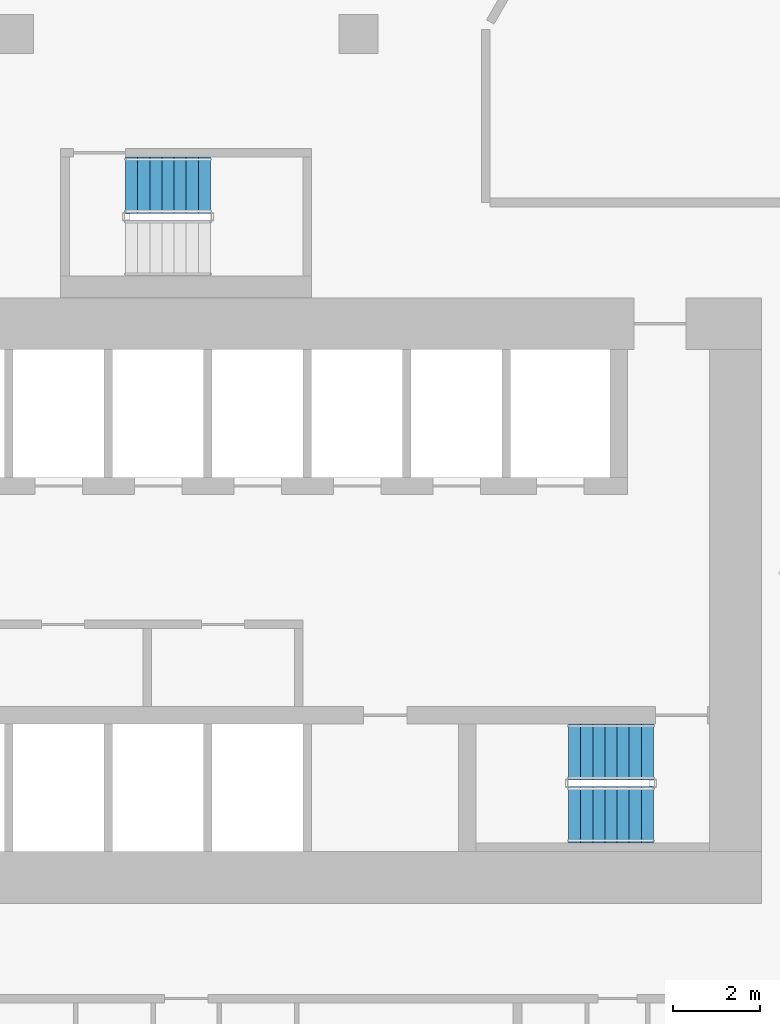
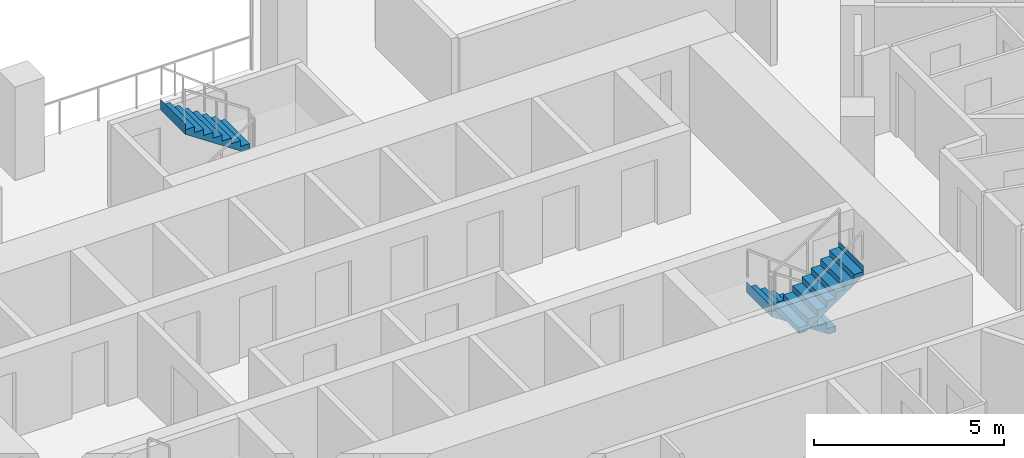
# One storey, part 17 of 21: 3 stair flights, 2 elements without a shape of their own.
"""IFC4 building model written with IfcOpenShell, lengths in metres."""

from ifc_helpers import new_model, si_unit, direction, frame, origin, place, context, subcontext, project, spatial, triangles, material, type_object, element, aggregate, save


model = new_model("IFC4")

# Units and contexts
model_context = context("Model", 3, precision=1e-05, world=origin(), true_north=direction((0.0, 1.0)))
body_context = subcontext(model_context, "Body", "Model", "MODEL_VIEW")
ifc_project = project(units=[si_unit("LENGTHUNIT", "METRE"), si_unit("AREAUNIT", "SQUARE_METRE"), si_unit("VOLUMEUNIT", "CUBIC_METRE"), si_unit("PLANEANGLEUNIT", "RADIAN"), si_unit("MASSUNIT", "GRAM", prefix="KILO")], contexts=[model_context])

# Site, building, storey
site_placement = place(None, origin())
site = spatial("IfcSite", under=ifc_project, at=site_placement, CompositionType="ELEMENT")
building_placement = place(site_placement, origin())
building = spatial("IfcBuilding", under=site, at=building_placement, Name="Beryl Residences", CompositionType="ELEMENT")
storey_placement = place(building_placement, frame((0.0, 0.0, 41.39990234375)))
storey = spatial("IfcBuildingStorey", under=building, at=storey_placement, Name="L12", CompositionType="ELEMENT", Elevation=41.39990234375)

# Stair, stair flights
ifc_material_1 = material(Name="Concrete C40/50", Category="concrete")
stair_type = type_object("IfcStairType", Name="ST1 protected exit stair, half-turn, 1300 mm flights", PredefinedType="HALF_TURN_STAIR", material=ifc_material_1)
stair_1_placement = place(storey_placement, origin())
stair_1 = element("IfcStair", 1, at=stair_1_placement, inside=storey, type_object=stair_type, Name="L12 PROTECTED EXIT STAIR ST-3", PredefinedType="HALF_TURN_STAIR")
ifc_material_2 = material(Name="Concrete C40/50", Category="concrete")
stair_flight_type = type_object("IfcStairFlightType", Name="SF1 stair flight 1300 mm", PredefinedType="STRAIGHT", material=ifc_material_2)
stair_flight_1_placement = place(storey_placement, frame((10.800048828125, -15.5, 0.0), z_axis=(0.0, 0.0, 1.0), x_axis=(-1.0, 0.0, 0.0)))
stair_flight_1 = element("IfcStairFlight", 2, at=stair_flight_1_placement, type_object=stair_flight_type, Name="ST-3 flight 1", NumberOfRisers=8, NumberOfTreads=7, PredefinedType="STRAIGHT", RiserHeight=0.1875, TreadLength=0.28, context=body_context, shape_type="Tessellation", body=[
    triangles([(0.0, -0.64990234375, 0.0), (0.0, -0.324951171875, 0.0), (0.0, 0.0, 0.0), (0.0, 0.324951171875, 0.0), (0.0, 0.64990234375, 0.0), (0.0, -0.64990234375, 0.1875), (0.0, -0.324951171875, 0.1875), (0.0, 0.0, 0.1875), (0.0, 0.324951171875, 0.1875), (0.0, 0.64990234375, 0.1875), (0.280029296875, -0.64990234375, 0.1875), (0.280029296875, -0.324951171875, 0.1875), (0.280029296875, 0.0, 0.1875), (0.280029296875, 0.324951171875, 0.1875), (0.280029296875, 0.64990234375, 0.1875), (0.280029296875, -0.64990234375, 0.375), (0.280029296875, -0.324951171875, 0.375), (0.280029296875, 0.0, 0.375), (0.280029296875, 0.324951171875, 0.375), (0.280029296875, 0.64990234375, 0.375), (0.56005859375, -0.64990234375, 0.375), (0.56005859375, -0.324951171875, 0.375), (0.56005859375, 0.0, 0.375), (0.56005859375, 0.324951171875, 0.375), (0.56005859375, 0.64990234375, 0.375), (0.56005859375, -0.64990234375, 0.5625), (0.56005859375, -0.324951171875, 0.5625), (0.56005859375, 0.0, 0.5625), (0.56005859375, 0.324951171875, 0.5625), (0.56005859375, 0.64990234375, 0.5625), (0.840087890625, -0.64990234375, 0.5625), (0.840087890625, -0.324951171875, 0.5625), (0.840087890625, 0.0, 0.5625), (0.840087890625, 0.324951171875, 0.5625), (0.840087890625, 0.64990234375, 0.5625), (0.840087890625, -0.64990234375, 0.75), (0.840087890625, -0.324951171875, 0.75), (0.840087890625, 0.0, 0.75), (0.840087890625, 0.324951171875, 0.75), (0.840087890625, 0.64990234375, 0.75), (1.1201171875, -0.64990234375, 0.75), (1.1201171875, -0.324951171875, 0.75), (1.1201171875, 0.0, 0.75), (1.1201171875, 0.324951171875, 0.75), (1.1201171875, 0.64990234375, 0.75), (1.1201171875, -0.64990234375, 0.9375), (1.1201171875, -0.324951171875, 0.9375), (1.1201171875, 0.0, 0.9375), (1.1201171875, 0.324951171875, 0.9375), (1.1201171875, 0.64990234375, 0.9375), (1.39990234375, -0.64990234375, 0.9375), (1.39990234375, -0.324951171875, 0.9375), (1.39990234375, 0.0, 0.9375), (1.39990234375, 0.324951171875, 0.9375), (1.39990234375, 0.64990234375, 0.9375), (1.39990234375, -0.64990234375, 1.125), (1.39990234375, -0.324951171875, 1.125), (1.39990234375, 0.0, 1.125), (1.39990234375, 0.324951171875, 1.125), (1.39990234375, 0.64990234375, 1.125), (1.679931640625, -0.64990234375, 1.125), (1.679931640625, -0.324951171875, 1.125), (1.679931640625, 0.0, 1.125), (1.679931640625, 0.324951171875, 1.125), (1.679931640625, 0.64990234375, 1.125), (1.679931640625, -0.64990234375, 1.3125), (1.679931640625, -0.324951171875, 1.3125), (1.679931640625, 0.0, 1.3125), (1.679931640625, 0.324951171875, 1.3125), (1.679931640625, 0.64990234375, 1.3125), (1.9599609375, -0.64990234375, 1.3125), (1.9599609375, -0.324951171875, 1.3125), (1.9599609375, 0.0, 1.3125), (1.9599609375, 0.324951171875, 1.3125), (1.9599609375, 0.64990234375, 1.3125), (1.9599609375, -0.64990234375, 1.5), (1.9599609375, -0.324951171875, 1.5), (1.9599609375, 0.0, 1.5), (1.9599609375, 0.324951171875, 1.5), (1.9599609375, 0.64990234375, 1.5), (1.9609375, -0.64990234375, 1.5), (1.9609375, -0.324951171875, 1.5), (1.9609375, 0.0, 1.5), (1.9609375, 0.324951171875, 1.5), (1.9609375, 0.64990234375, 1.5), (1.9609375, -0.64990234375, 1.16796875), (1.9609375, -0.324951171875, 1.16796875), (1.9609375, 0.0, 1.16796875), (1.9609375, 0.324951171875, 1.16796875), (1.9609375, 0.64990234375, 1.16796875), (0.216796875, -0.64990234375, 0.0), (0.216796875, -0.324951171875, 0.0), (0.216796875, 0.0, 0.0), (0.216796875, 0.324951171875, 0.0), (0.216796875, 0.64990234375, 0.0)], [[1, 6, 7], [1, 7, 2], [2, 7, 8], [2, 8, 3], [3, 8, 9], [3, 9, 4], [4, 9, 10], [4, 10, 5], [6, 11, 12], [6, 12, 7], [7, 12, 13], [7, 13, 8], [8, 13, 14], [8, 14, 9], [9, 14, 15], [9, 15, 10], [11, 16, 17], [11, 17, 12], [12, 17, 18], [12, 18, 13], [13, 18, 19], [13, 19, 14], [14, 19, 20], [14, 20, 15], [16, 21, 22], [16, 22, 17], [17, 22, 23], [17, 23, 18], [18, 23, 24], [18, 24, 19], [19, 24, 25], [19, 25, 20], [21, 26, 27], [21, 27, 22], [22, 27, 28], [22, 28, 23], [23, 28, 29], [23, 29, 24], [24, 29, 30], [24, 30, 25], [26, 31, 32], [26, 32, 27], [27, 32, 33], [27, 33, 28], [28, 33, 34], [28, 34, 29], [29, 34, 35], [29, 35, 30], [31, 36, 37], [31, 37, 32], [32, 37, 38], [32, 38, 33], [33, 38, 39], [33, 39, 34], [34, 39, 40], [34, 40, 35], [36, 41, 42], [36, 42, 37], [37, 42, 43], [37, 43, 38], [38, 43, 44], [38, 44, 39], [39, 44, 45], [39, 45, 40], [41, 46, 47], [41, 47, 42], [42, 47, 48], [42, 48, 43], [43, 48, 49], [43, 49, 44], [44, 49, 50], [44, 50, 45], [46, 51, 52], [46, 52, 47], [47, 52, 53], [47, 53, 48], [48, 53, 54], [48, 54, 49], [49, 54, 55], [49, 55, 50], [51, 56, 57], [51, 57, 52], [52, 57, 58], [52, 58, 53], [53, 58, 59], [53, 59, 54], [54, 59, 60], [54, 60, 55], [56, 61, 62], [56, 62, 57], [57, 62, 63], [57, 63, 58], [58, 63, 64], [58, 64, 59], [59, 64, 65], [59, 65, 60], [61, 66, 67], [61, 67, 62], [62, 67, 68], [62, 68, 63], [63, 68, 69], [63, 69, 64], [64, 69, 70], [64, 70, 65], [66, 71, 72], [66, 72, 67], [67, 72, 73], [67, 73, 68], [68, 73, 74], [68, 74, 69], [69, 74, 75], [69, 75, 70], [71, 76, 77], [71, 77, 72], [72, 77, 78], [72, 78, 73], [73, 78, 79], [73, 79, 74], [74, 79, 80], [74, 80, 75], [76, 81, 82], [76, 82, 77], [77, 82, 83], [77, 83, 78], [78, 83, 84], [78, 84, 79], [79, 84, 85], [79, 85, 80], [81, 86, 87], [81, 87, 82], [82, 87, 88], [82, 88, 83], [83, 88, 89], [83, 89, 84], [84, 89, 90], [84, 90, 85], [86, 91, 92], [86, 92, 87], [87, 92, 93], [87, 93, 88], [88, 93, 94], [88, 94, 89], [89, 94, 95], [89, 95, 90], [91, 1, 2], [91, 2, 92], [92, 2, 3], [92, 3, 93], [93, 3, 4], [93, 4, 94], [94, 4, 5], [94, 5, 95], [1, 91, 86], [5, 90, 95], [86, 81, 76], [90, 80, 85], [86, 76, 71], [90, 75, 80], [86, 71, 66], [90, 70, 75], [86, 66, 61], [90, 65, 70], [61, 56, 51], [65, 55, 60], [86, 61, 51], [90, 55, 65], [51, 46, 41], [55, 45, 50], [86, 51, 41], [90, 45, 55], [41, 36, 31], [45, 35, 40], [86, 41, 31], [90, 35, 45], [31, 26, 21], [35, 25, 30], [86, 31, 21], [90, 25, 35], [21, 16, 11], [25, 15, 20], [86, 21, 11], [90, 15, 25], [1, 86, 11], [5, 15, 90], [11, 6, 1], [15, 5, 10]], closed=True),
])
stair_flight_2_placement = place(storey_placement, frame((8.840087890625, -16.949951171875, 1.5), z_axis=(0.0, 0.0, 1.0), x_axis=(1.0, 0.0, 0.0)))
stair_flight_2 = element("IfcStairFlight", 3, at=stair_flight_2_placement, type_object=stair_flight_type, Name="ST-3 flight 2", NumberOfRisers=8, NumberOfTreads=7, PredefinedType="STRAIGHT", RiserHeight=0.1875, TreadLength=0.28, context=body_context, shape_type="Tessellation", body=[
    triangles([(0.0, -0.64990234375, 0.0), (0.0, -0.324951171875, 0.0), (0.0, 0.0, 0.0), (0.0, 0.324951171875, 0.0), (0.0, 0.64990234375, 0.0), (0.0, -0.64990234375, 0.1875), (0.0, -0.324951171875, 0.1875), (0.0, 0.0, 0.1875), (0.0, 0.324951171875, 0.1875), (0.0, 0.64990234375, 0.1875), (0.280029296875, -0.64990234375, 0.1875), (0.280029296875, -0.324951171875, 0.1875), (0.280029296875, 0.0, 0.1875), (0.280029296875, 0.324951171875, 0.1875), (0.280029296875, 0.64990234375, 0.1875), (0.280029296875, -0.64990234375, 0.375), (0.280029296875, -0.324951171875, 0.375), (0.280029296875, 0.0, 0.375), (0.280029296875, 0.324951171875, 0.375), (0.280029296875, 0.64990234375, 0.375), (0.56005859375, -0.64990234375, 0.375), (0.56005859375, -0.324951171875, 0.375), (0.56005859375, 0.0, 0.375), (0.56005859375, 0.324951171875, 0.375), (0.56005859375, 0.64990234375, 0.375), (0.56005859375, -0.64990234375, 0.5625), (0.56005859375, -0.324951171875, 0.5625), (0.56005859375, 0.0, 0.5625), (0.56005859375, 0.324951171875, 0.5625), (0.56005859375, 0.64990234375, 0.5625), (0.840087890625, -0.64990234375, 0.5625), (0.840087890625, -0.324951171875, 0.5625), (0.840087890625, 0.0, 0.5625), (0.840087890625, 0.324951171875, 0.5625), (0.840087890625, 0.64990234375, 0.5625), (0.840087890625, -0.64990234375, 0.75), (0.840087890625, -0.324951171875, 0.75), (0.840087890625, 0.0, 0.75), (0.840087890625, 0.324951171875, 0.75), (0.840087890625, 0.64990234375, 0.75), (1.1201171875, -0.64990234375, 0.75), (1.1201171875, -0.324951171875, 0.75), (1.1201171875, 0.0, 0.75), (1.1201171875, 0.324951171875, 0.75), (1.1201171875, 0.64990234375, 0.75), (1.1201171875, -0.64990234375, 0.9375), (1.1201171875, -0.324951171875, 0.9375), (1.1201171875, 0.0, 0.9375), (1.1201171875, 0.324951171875, 0.9375), (1.1201171875, 0.64990234375, 0.9375), (1.39990234375, -0.64990234375, 0.9375), (1.39990234375, -0.324951171875, 0.9375), (1.39990234375, 0.0, 0.9375), (1.39990234375, 0.324951171875, 0.9375), (1.39990234375, 0.64990234375, 0.9375), (1.39990234375, -0.64990234375, 1.125), (1.39990234375, -0.324951171875, 1.125), (1.39990234375, 0.0, 1.125), (1.39990234375, 0.324951171875, 1.125), (1.39990234375, 0.64990234375, 1.125), (1.679931640625, -0.64990234375, 1.125), (1.679931640625, -0.324951171875, 1.125), (1.679931640625, 0.0, 1.125), (1.679931640625, 0.324951171875, 1.125), (1.679931640625, 0.64990234375, 1.125), (1.679931640625, -0.64990234375, 1.3125), (1.679931640625, -0.324951171875, 1.3125), (1.679931640625, 0.0, 1.3125), (1.679931640625, 0.324951171875, 1.3125), (1.679931640625, 0.64990234375, 1.3125), (1.9599609375, -0.64990234375, 1.3125), (1.9599609375, -0.324951171875, 1.3125), (1.9599609375, 0.0, 1.3125), (1.9599609375, 0.324951171875, 1.3125), (1.9599609375, 0.64990234375, 1.3125), (1.9599609375, -0.64990234375, 1.5), (1.9599609375, -0.324951171875, 1.5), (1.9599609375, 0.0, 1.5), (1.9599609375, 0.324951171875, 1.5), (1.9599609375, 0.64990234375, 1.5), (1.9609375, -0.64990234375, 1.5), (1.9609375, -0.324951171875, 1.5), (1.9609375, 0.0, 1.5), (1.9609375, 0.324951171875, 1.5), (1.9609375, 0.64990234375, 1.5), (1.9609375, -0.64990234375, 1.16796875), (1.9609375, -0.324951171875, 1.16796875), (1.9609375, 0.0, 1.16796875), (1.9609375, 0.324951171875, 1.16796875), (1.9609375, 0.64990234375, 1.16796875), (0.216796875, -0.64990234375, 0.0), (0.216796875, -0.324951171875, 0.0), (0.216796875, 0.0, 0.0), (0.216796875, 0.324951171875, 0.0), (0.216796875, 0.64990234375, 0.0)], [[1, 6, 7], [1, 7, 2], [2, 7, 8], [2, 8, 3], [3, 8, 9], [3, 9, 4], [4, 9, 10], [4, 10, 5], [6, 11, 12], [6, 12, 7], [7, 12, 13], [7, 13, 8], [8, 13, 14], [8, 14, 9], [9, 14, 15], [9, 15, 10], [11, 16, 17], [11, 17, 12], [12, 17, 18], [12, 18, 13], [13, 18, 19], [13, 19, 14], [14, 19, 20], [14, 20, 15], [16, 21, 22], [16, 22, 17], [17, 22, 23], [17, 23, 18], [18, 23, 24], [18, 24, 19], [19, 24, 25], [19, 25, 20], [21, 26, 27], [21, 27, 22], [22, 27, 28], [22, 28, 23], [23, 28, 29], [23, 29, 24], [24, 29, 30], [24, 30, 25], [26, 31, 32], [26, 32, 27], [27, 32, 33], [27, 33, 28], [28, 33, 34], [28, 34, 29], [29, 34, 35], [29, 35, 30], [31, 36, 37], [31, 37, 32], [32, 37, 38], [32, 38, 33], [33, 38, 39], [33, 39, 34], [34, 39, 40], [34, 40, 35], [36, 41, 42], [36, 42, 37], [37, 42, 43], [37, 43, 38], [38, 43, 44], [38, 44, 39], [39, 44, 45], [39, 45, 40], [41, 46, 47], [41, 47, 42], [42, 47, 48], [42, 48, 43], [43, 48, 49], [43, 49, 44], [44, 49, 50], [44, 50, 45], [46, 51, 52], [46, 52, 47], [47, 52, 53], [47, 53, 48], [48, 53, 54], [48, 54, 49], [49, 54, 55], [49, 55, 50], [51, 56, 57], [51, 57, 52], [52, 57, 58], [52, 58, 53], [53, 58, 59], [53, 59, 54], [54, 59, 60], [54, 60, 55], [56, 61, 62], [56, 62, 57], [57, 62, 63], [57, 63, 58], [58, 63, 64], [58, 64, 59], [59, 64, 65], [59, 65, 60], [61, 66, 67], [61, 67, 62], [62, 67, 68], [62, 68, 63], [63, 68, 69], [63, 69, 64], [64, 69, 70], [64, 70, 65], [66, 71, 72], [66, 72, 67], [67, 72, 73], [67, 73, 68], [68, 73, 74], [68, 74, 69], [69, 74, 75], [69, 75, 70], [71, 76, 77], [71, 77, 72], [72, 77, 78], [72, 78, 73], [73, 78, 79], [73, 79, 74], [74, 79, 80], [74, 80, 75], [76, 81, 82], [76, 82, 77], [77, 82, 83], [77, 83, 78], [78, 83, 84], [78, 84, 79], [79, 84, 85], [79, 85, 80], [81, 86, 87], [81, 87, 82], [82, 87, 88], [82, 88, 83], [83, 88, 89], [83, 89, 84], [84, 89, 90], [84, 90, 85], [86, 91, 92], [86, 92, 87], [87, 92, 93], [87, 93, 88], [88, 93, 94], [88, 94, 89], [89, 94, 95], [89, 95, 90], [91, 1, 2], [91, 2, 92], [92, 2, 3], [92, 3, 93], [93, 3, 4], [93, 4, 94], [94, 4, 5], [94, 5, 95], [1, 91, 86], [5, 90, 95], [86, 81, 76], [90, 80, 85], [86, 76, 71], [90, 75, 80], [86, 71, 66], [90, 70, 75], [86, 66, 61], [90, 65, 70], [61, 56, 51], [65, 55, 60], [86, 61, 51], [90, 55, 65], [51, 46, 41], [55, 45, 50], [86, 51, 41], [90, 45, 55], [41, 36, 31], [45, 35, 40], [86, 41, 31], [90, 35, 45], [31, 26, 21], [35, 25, 30], [86, 31, 21], [90, 25, 35], [21, 16, 11], [25, 15, 20], [86, 21, 11], [90, 15, 25], [1, 86, 11], [5, 15, 90], [11, 6, 1], [15, 5, 10]], closed=True),
])
aggregate(stair_1, [stair_flight_1, stair_flight_2])

# Stair, stair flight
stair_2_placement = place(storey_placement, origin())
stair_2 = element("IfcStair", 4, at=stair_2_placement, inside=storey, type_object=stair_type, Name="L12 PROTECTED EXIT STAIR ST-4", PredefinedType="HALF_TURN_STAIR")
stair_flight_3_placement = place(storey_placement, frame((0.56005859375, -2.39990234375, 1.5), z_axis=(0.0, 0.0, 1.0), x_axis=(-1.0, 0.0, 0.0)))
stair_flight_3 = element("IfcStairFlight", 5, at=stair_flight_3_placement, type_object=stair_flight_type, Name="ST-4 flight 2", NumberOfRisers=8, NumberOfTreads=7, PredefinedType="STRAIGHT", RiserHeight=0.1875, TreadLength=0.28, context=body_context, shape_type="Tessellation", body=[
    triangles([(0.0, -0.64990234375, 0.0), (0.0, -0.324951171875, 0.0), (0.0, 0.0, 0.0), (0.0, 0.324951171875, 0.0), (0.0, 0.64990234375, 0.0), (0.0, -0.64990234375, 0.1875), (0.0, -0.324951171875, 0.1875), (0.0, 0.0, 0.1875), (0.0, 0.324951171875, 0.1875), (0.0, 0.64990234375, 0.1875), (0.280029296875, -0.64990234375, 0.1875), (0.280029296875, -0.324951171875, 0.1875), (0.280029296875, 0.0, 0.1875), (0.280029296875, 0.324951171875, 0.1875), (0.280029296875, 0.64990234375, 0.1875), (0.280029296875, -0.64990234375, 0.375), (0.280029296875, -0.324951171875, 0.375), (0.280029296875, 0.0, 0.375), (0.280029296875, 0.324951171875, 0.375), (0.280029296875, 0.64990234375, 0.375), (0.56005859375, -0.64990234375, 0.375), (0.56005859375, -0.324951171875, 0.375), (0.56005859375, 0.0, 0.375), (0.56005859375, 0.324951171875, 0.375), (0.56005859375, 0.64990234375, 0.375), (0.56005859375, -0.64990234375, 0.5625), (0.56005859375, -0.324951171875, 0.5625), (0.56005859375, 0.0, 0.5625), (0.56005859375, 0.324951171875, 0.5625), (0.56005859375, 0.64990234375, 0.5625), (0.840087890625, -0.64990234375, 0.5625), (0.840087890625, -0.324951171875, 0.5625), (0.840087890625, 0.0, 0.5625), (0.840087890625, 0.324951171875, 0.5625), (0.840087890625, 0.64990234375, 0.5625), (0.840087890625, -0.64990234375, 0.75), (0.840087890625, -0.324951171875, 0.75), (0.840087890625, 0.0, 0.75), (0.840087890625, 0.324951171875, 0.75), (0.840087890625, 0.64990234375, 0.75), (1.1201171875, -0.64990234375, 0.75), (1.1201171875, -0.324951171875, 0.75), (1.1201171875, 0.0, 0.75), (1.1201171875, 0.324951171875, 0.75), (1.1201171875, 0.64990234375, 0.75), (1.1201171875, -0.64990234375, 0.9375), (1.1201171875, -0.324951171875, 0.9375), (1.1201171875, 0.0, 0.9375), (1.1201171875, 0.324951171875, 0.9375), (1.1201171875, 0.64990234375, 0.9375), (1.39990234375, -0.64990234375, 0.9375), (1.39990234375, -0.324951171875, 0.9375), (1.39990234375, 0.0, 0.9375), (1.39990234375, 0.324951171875, 0.9375), (1.39990234375, 0.64990234375, 0.9375), (1.39990234375, -0.64990234375, 1.125), (1.39990234375, -0.324951171875, 1.125), (1.39990234375, 0.0, 1.125), (1.39990234375, 0.324951171875, 1.125), (1.39990234375, 0.64990234375, 1.125), (1.679931640625, -0.64990234375, 1.125), (1.679931640625, -0.324951171875, 1.125), (1.679931640625, 0.0, 1.125), (1.679931640625, 0.324951171875, 1.125), (1.679931640625, 0.64990234375, 1.125), (1.679931640625, -0.64990234375, 1.3125), (1.679931640625, -0.324951171875, 1.3125), (1.679931640625, 0.0, 1.3125), (1.679931640625, 0.324951171875, 1.3125), (1.679931640625, 0.64990234375, 1.3125), (1.9599609375, -0.64990234375, 1.3125), (1.9599609375, -0.324951171875, 1.3125), (1.9599609375, 0.0, 1.3125), (1.9599609375, 0.324951171875, 1.3125), (1.9599609375, 0.64990234375, 1.3125), (1.9599609375, -0.64990234375, 1.5), (1.9599609375, -0.324951171875, 1.5), (1.9599609375, 0.0, 1.5), (1.9599609375, 0.324951171875, 1.5), (1.9599609375, 0.64990234375, 1.5), (1.9609375, -0.64990234375, 1.5), (1.9609375, -0.324951171875, 1.5), (1.9609375, 0.0, 1.5), (1.9609375, 0.324951171875, 1.5), (1.9609375, 0.64990234375, 1.5), (1.9609375, -0.64990234375, 1.16796875), (1.9609375, -0.324951171875, 1.16796875), (1.9609375, 0.0, 1.16796875), (1.9609375, 0.324951171875, 1.16796875), (1.9609375, 0.64990234375, 1.16796875), (0.216796875, -0.64990234375, 0.0), (0.216796875, -0.324951171875, 0.0), (0.216796875, 0.0, 0.0), (0.216796875, 0.324951171875, 0.0), (0.216796875, 0.64990234375, 0.0)], [[1, 6, 7], [1, 7, 2], [2, 7, 8], [2, 8, 3], [3, 8, 9], [3, 9, 4], [4, 9, 10], [4, 10, 5], [6, 11, 12], [6, 12, 7], [7, 12, 13], [7, 13, 8], [8, 13, 14], [8, 14, 9], [9, 14, 15], [9, 15, 10], [11, 16, 17], [11, 17, 12], [12, 17, 18], [12, 18, 13], [13, 18, 19], [13, 19, 14], [14, 19, 20], [14, 20, 15], [16, 21, 22], [16, 22, 17], [17, 22, 23], [17, 23, 18], [18, 23, 24], [18, 24, 19], [19, 24, 25], [19, 25, 20], [21, 26, 27], [21, 27, 22], [22, 27, 28], [22, 28, 23], [23, 28, 29], [23, 29, 24], [24, 29, 30], [24, 30, 25], [26, 31, 32], [26, 32, 27], [27, 32, 33], [27, 33, 28], [28, 33, 34], [28, 34, 29], [29, 34, 35], [29, 35, 30], [31, 36, 37], [31, 37, 32], [32, 37, 38], [32, 38, 33], [33, 38, 39], [33, 39, 34], [34, 39, 40], [34, 40, 35], [36, 41, 42], [36, 42, 37], [37, 42, 43], [37, 43, 38], [38, 43, 44], [38, 44, 39], [39, 44, 45], [39, 45, 40], [41, 46, 47], [41, 47, 42], [42, 47, 48], [42, 48, 43], [43, 48, 49], [43, 49, 44], [44, 49, 50], [44, 50, 45], [46, 51, 52], [46, 52, 47], [47, 52, 53], [47, 53, 48], [48, 53, 54], [48, 54, 49], [49, 54, 55], [49, 55, 50], [51, 56, 57], [51, 57, 52], [52, 57, 58], [52, 58, 53], [53, 58, 59], [53, 59, 54], [54, 59, 60], [54, 60, 55], [56, 61, 62], [56, 62, 57], [57, 62, 63], [57, 63, 58], [58, 63, 64], [58, 64, 59], [59, 64, 65], [59, 65, 60], [61, 66, 67], [61, 67, 62], [62, 67, 68], [62, 68, 63], [63, 68, 69], [63, 69, 64], [64, 69, 70], [64, 70, 65], [66, 71, 72], [66, 72, 67], [67, 72, 73], [67, 73, 68], [68, 73, 74], [68, 74, 69], [69, 74, 75], [69, 75, 70], [71, 76, 77], [71, 77, 72], [72, 77, 78], [72, 78, 73], [73, 78, 79], [73, 79, 74], [74, 79, 80], [74, 80, 75], [76, 81, 82], [76, 82, 77], [77, 82, 83], [77, 83, 78], [78, 83, 84], [78, 84, 79], [79, 84, 85], [79, 85, 80], [81, 86, 87], [81, 87, 82], [82, 87, 88], [82, 88, 83], [83, 88, 89], [83, 89, 84], [84, 89, 90], [84, 90, 85], [86, 91, 92], [86, 92, 87], [87, 92, 93], [87, 93, 88], [88, 93, 94], [88, 94, 89], [89, 94, 95], [89, 95, 90], [91, 1, 2], [91, 2, 92], [92, 2, 3], [92, 3, 93], [93, 3, 4], [93, 4, 94], [94, 4, 5], [94, 5, 95], [1, 91, 86], [5, 90, 95], [86, 81, 76], [90, 80, 85], [86, 76, 71], [90, 75, 80], [86, 71, 66], [90, 70, 75], [86, 66, 61], [90, 65, 70], [61, 56, 51], [65, 55, 60], [86, 61, 51], [90, 55, 65], [51, 46, 41], [55, 45, 50], [86, 51, 41], [90, 45, 55], [41, 36, 31], [45, 35, 40], [86, 41, 31], [90, 35, 45], [31, 26, 21], [35, 25, 30], [86, 31, 21], [90, 25, 35], [21, 16, 11], [25, 15, 20], [86, 21, 11], [90, 15, 25], [1, 86, 11], [5, 15, 90], [11, 6, 1], [15, 5, 10]], closed=True),
])
aggregate(stair_2, [stair_flight_3])

save(model, "model.ifc")
